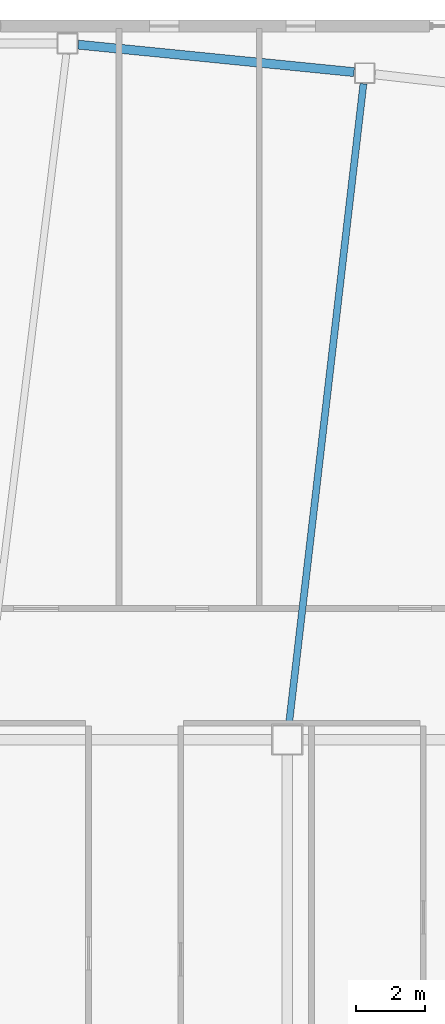
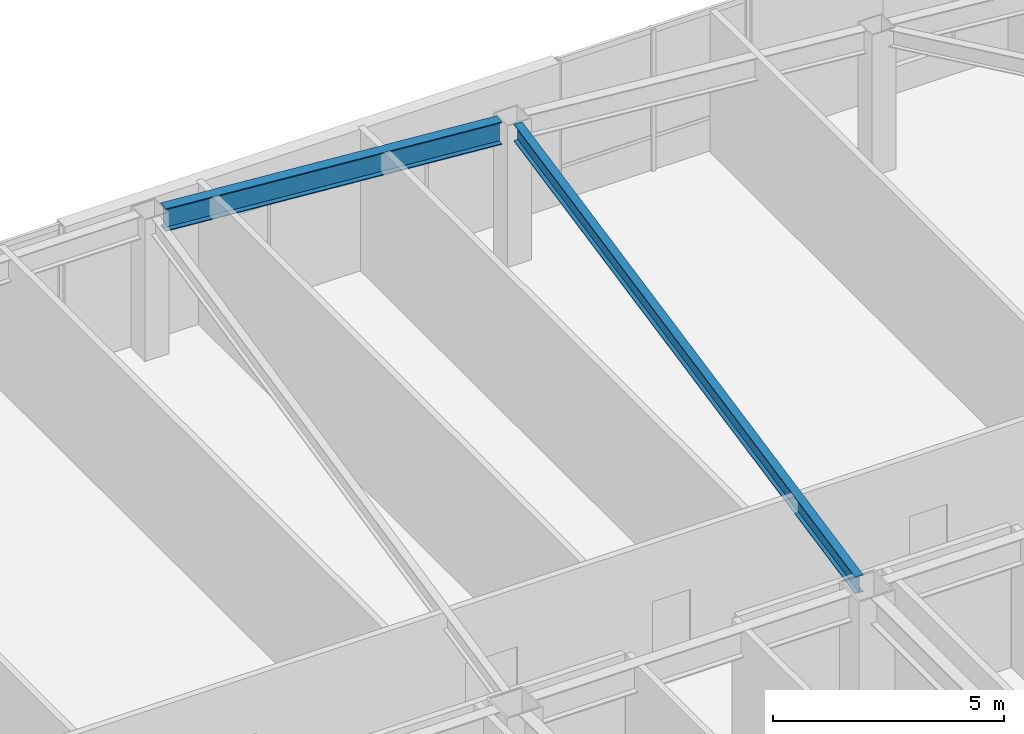
# One storey, part 7 of 18: 2 beams.
"""IFC4 building model written with IfcOpenShell, lengths in metres."""

from ifc_helpers import new_model, si_unit, direction, frame, origin, origin_2d, place, context, subcontext, project, spatial, i_section, extrude, material, material_profile, profile_set, type_object, element, save


model = new_model("IFC4")

# Units and contexts
model_context = context("Model", 3, precision=1e-05, world=origin(), true_north=direction((0.0, 1.0)))
body_context = subcontext(model_context, "Body", "Model", "MODEL_VIEW")
ifc_project = project(units=[si_unit("LENGTHUNIT", "METRE"), si_unit("AREAUNIT", "SQUARE_METRE"), si_unit("VOLUMEUNIT", "CUBIC_METRE"), si_unit("PLANEANGLEUNIT", "RADIAN"), si_unit("MASSUNIT", "GRAM", prefix="KILO")], contexts=[model_context])

# Site, building, storey
site_placement = place(None, origin())
site = spatial("IfcSite", under=ifc_project, at=site_placement, CompositionType="ELEMENT")
building_placement = place(site_placement, origin())
building = spatial("IfcBuilding", under=site, at=building_placement, Name="Tavrogorsk Clinical Tower", CompositionType="ELEMENT")
storey_placement = place(building_placement, frame((0.0, 0.0, 192.199951171875)))
storey = spatial("IfcBuildingStorey", under=building, at=storey_placement, Name="L44", CompositionType="ELEMENT", Elevation=192.199951171875)

# Beams
ifc_material_1 = material(Name="Structural steel S355", Category="steel")
ifc_material_profile_1 = material_profile(ifc_material_1, i_section(OverallWidth=0.199951171875, OverallDepth=0.449951171875, WebThickness=0.011474609375, FlangeThickness=0.01806640625, at=origin_2d()), Name="B-450x200x11.5x18")
ifc_profile_set_1 = profile_set([ifc_material_profile_1], Name="Structural steel S355")
beam_type_1 = type_object("IfcBeamType", Name="FloorBeam_B450", PredefinedType="BEAM", material=ifc_profile_set_1)
beam_1_placement = place(storey_placement, frame((4.447265625, 6.75732421875, 3.51513671875), z_axis=(0.115490633481, 0.993308569166, 0.0), x_axis=(-0.993308569166, 0.115490633481, 0.0)))
element("IfcBeam", 1, at=beam_1_placement, inside=storey, type_object=beam_type_1, Name="L44 Radial Floor Beam N4", PredefinedType="BEAM", context=body_context, shape_type="SweptSolid", body=[
    extrude(i_section(OverallWidth=0.199951171875, OverallDepth=0.449951171875, WebThickness=0.011474609375, FlangeThickness=0.01806640625, at=origin_2d()), origin(), (0.0, 0.0, 1.0), 18.628173828125),
])
ifc_material_2 = material(Name="Structural steel S390", Category="steel")
ifc_material_profile_2 = material_profile(ifc_material_2, i_section(OverallWidth=0.260009765625, OverallDepth=0.60009765625, WebThickness=0.014892578125, FlangeThickness=0.02392578125, at=origin_2d()), Name="B-600x260x15x24")
ifc_profile_set_2 = profile_set([ifc_material_profile_2], Name="Structural steel S390")
beam_type_2 = type_object("IfcBeamType", Name="SpandrelBeam_B600", PredefinedType="SPANDREL", material=ifc_profile_set_2)
beam_2_placement = place(storey_placement, frame((6.32763671875, 25.59716796875, 3.43994140625), z_axis=(-0.995074624158, 0.099128665666, 0.0), x_axis=(-0.099128665666, -0.995074624158, 0.0)))
element("IfcBeam", 2, at=beam_2_placement, inside=storey, type_object=beam_type_2, Name="L44 Perimeter Spandrel N4-N5", PredefinedType="SPANDREL", context=body_context, shape_type="SweptSolid", body=[
    extrude(i_section(OverallWidth=0.260009765625, OverallDepth=0.60009765625, WebThickness=0.014892578125, FlangeThickness=0.02392578125, at=origin_2d()), origin(), (0.0, 0.0, 1.0), 7.991943359375),
])

save(model, "model.ifc")
